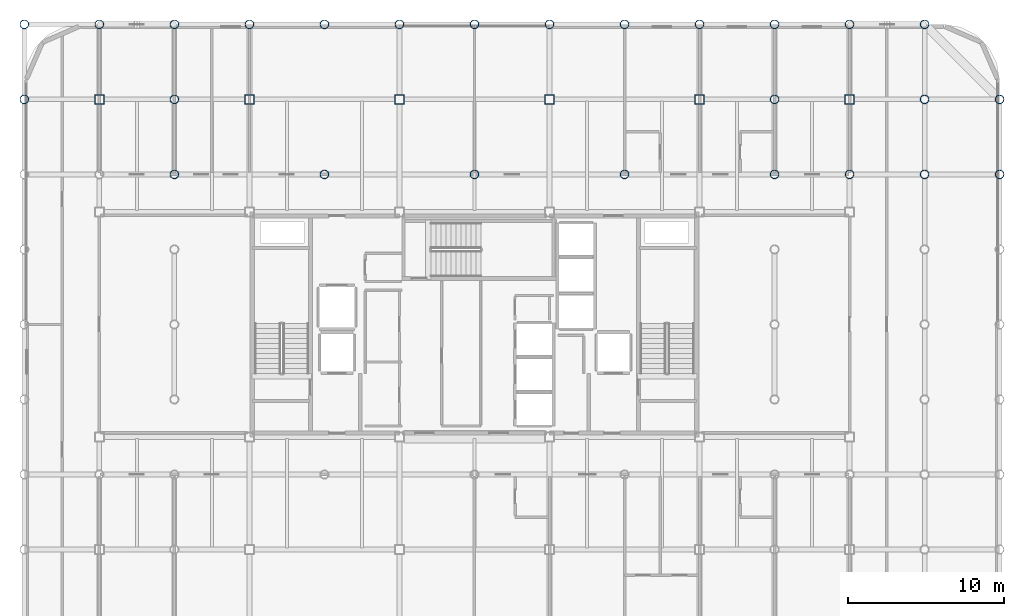
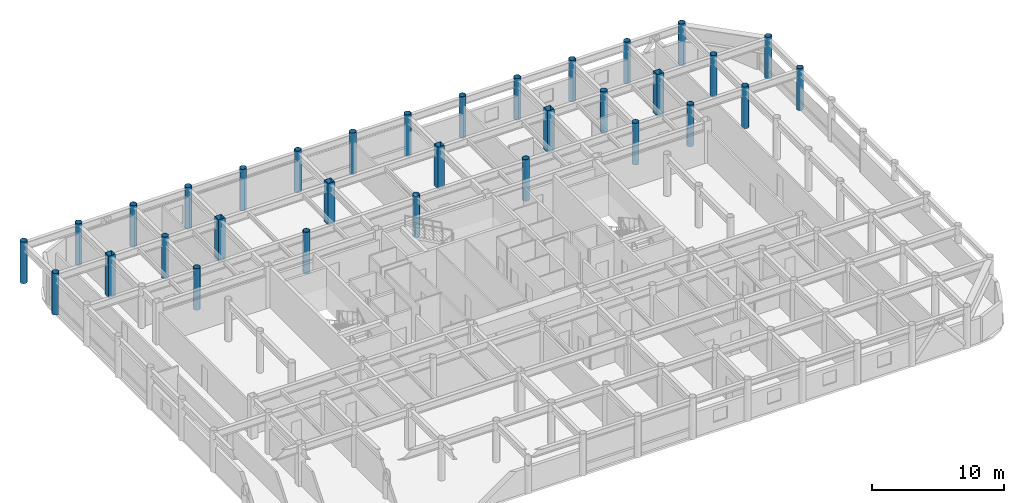
# One storey, part 2 of 21: 32 columns.
"""IFC4 building model written with IfcOpenShell, lengths in metres."""

from ifc_helpers import new_model, si_unit, direction, frame, origin, origin_2d, place, context, subcontext, project, spatial, hollow_rectangle, hollow_circle, extrude, material, material_profile, profile_set, type_object, element, save


model = new_model("IFC4")

# Units and contexts
model_context = context("Model", 3, precision=1e-05, world=origin(), true_north=direction((0.0, 1.0)))
body_context = subcontext(model_context, "Body", "Model", "MODEL_VIEW")
ifc_project = project(units=[si_unit("LENGTHUNIT", "METRE"), si_unit("AREAUNIT", "SQUARE_METRE"), si_unit("VOLUMEUNIT", "CUBIC_METRE"), si_unit("PLANEANGLEUNIT", "RADIAN"), si_unit("MASSUNIT", "GRAM", prefix="KILO")], contexts=[model_context])

# Site, building, storey
site_placement = place(None, origin())
site = spatial("IfcSite", under=ifc_project, at=site_placement, CompositionType="ELEMENT")
building_placement = place(site_placement, origin())
building = spatial("IfcBuilding", under=site, at=building_placement, Name="Kallvorn Hotel Tower", CompositionType="ELEMENT")
storey_placement = place(building_placement, frame((0.0, 0.0, 210.75)))
storey = spatial("IfcBuildingStorey", under=building, at=storey_placement, Name="L52", CompositionType="ELEMENT", Elevation=210.75)

# Columns
ifc_material_1 = material(Name="Structural steel S355J2H", Category="steel")
ifc_material_profile_1 = material_profile(ifc_material_1, hollow_circle(Radius=0.279541015625, WallThickness=0.02490234375, at=origin_2d()), Name="CHS 559x25")
ifc_profile_set_1 = profile_set([ifc_material_profile_1], Name="Structural steel S355J2H")
column_type_1 = type_object("IfcColumnType", Name="COL_CHS_559", PredefinedType="COLUMN", material=ifc_profile_set_1)
for number, where, z_axis, x_axis, name in (
    (1, (-28.800048828125, 14.39990234375, 0.0), (0.0, 0.0, 1.0), (1.0, 0.0, 0.0), "L52 Exoskeleton Column EC08"),
    (2, (-28.800048828125, 19.199951171875, 0.0), (0.0, 0.0, 1.0), (1.0, 0.0, 0.0), "L52 Exoskeleton Column EC09"),
    (3, (-24.0, 19.199951171875, 0.0), (0.0, 0.0, 1.0), (1.0, 0.0, 0.0), "L52 Exoskeleton Column EC14"),
    (4, (-19.199951171875, 9.60009765625, 0.0), (0.0, 0.0, 1.0), (1.0, 0.0, 0.0), "L52 Exoskeleton Column EC22"),
    (5, (-19.199951171875, 14.39990234375, 0.0), (0.0, 0.0, 1.0), (1.0, 0.0, 0.0), "L52 Exoskeleton Column EC23"),
    (6, (-19.199951171875, 19.199951171875, 0.0), (0.0, 0.0, 1.0), (1.0, 0.0, 0.0), "L52 Exoskeleton Column EC24"),
    (7, (-14.39990234375, 19.199951171875, 0.0), (0.0, 0.0, 1.0), (1.0, 0.0, 0.0), "L52 Exoskeleton Column EC27"),
    (8, (-9.60009765625, 9.60009765625, 0.0), (0.0, 0.0, 1.0), (1.0, 0.0, 0.0), "L52 Exoskeleton Column EC31"),
    (9, (-9.60009765625, 19.199951171875, 0.0), (0.0, 0.0, 1.0), (1.0, 0.0, 0.0), "L52 Exoskeleton Column EC32"),
    (10, (-4.800048828125, 19.199951171875, 0.0), (0.0, 0.0, 1.0), (1.0, 0.0, 0.0), "L52 Exoskeleton Column EC35"),
    (11, (0.0, 9.60009765625, 0.0), (0.0, 0.0, 1.0), (1.0, 0.0, 0.0), "L52 Exoskeleton Column EC39"),
    (12, (0.0, 19.199951171875, 0.0), (0.0, 0.0, 1.0), (1.0, 0.0, 0.0), "L52 Exoskeleton Column EC40"),
    (13, (4.800048828125, 19.199951171875, 0.0), (0.0, 0.0, 1.0), (1.0, 0.0, 0.0), "L52 Exoskeleton Column EC43"),
    (14, (9.60009765625, 9.60009765625, 0.0), (0.0, 0.0, 1.0), (1.0, 0.0, 0.0), "L52 Exoskeleton Column EC47"),
    (15, (9.60009765625, 19.199951171875, 0.0), (0.0, 0.0, 1.0), (1.0, 0.0, 0.0), "L52 Exoskeleton Column EC48"),
    (16, (14.39990234375, 19.199951171875, 0.0), (0.0, 0.0, 1.0), (1.0, 0.0, 0.0), "L52 Exoskeleton Column EC51"),
    (17, (19.199951171875, 9.60009765625, 0.0), (0.0, 0.0, 1.0), (1.0, 0.0, 0.0), "L52 Exoskeleton Column EC59"),
    (18, (19.199951171875, 14.39990234375, 0.0), (0.0, 0.0, 1.0), (1.0, 0.0, 0.0), "L52 Exoskeleton Column EC60"),
    (19, (19.199951171875, 19.199951171875, 0.0), (0.0, 0.0, 1.0), (1.0, 0.0, 0.0), "L52 Exoskeleton Column EC61"),
    (20, (24.0, 9.60009765625, 0.0), (0.0, 0.0, 1.0), (1.0, 0.0, 0.0), "L52 Exoskeleton Column EC65"),
    (21, (24.0, 19.199951171875, 0.0), (0.0, 0.0, 1.0), (1.0, 0.0, 0.0), "L52 Exoskeleton Column EC66"),
    (22, (28.800048828125, 9.60009765625, 0.0), (0.0, 0.0, 1.0), (1.0, 0.0, 0.0), "L52 Exoskeleton Column EC74"),
    (23, (28.800048828125, 14.39990234375, 0.0), (0.0, 0.0, 1.0), (1.0, 0.0, 0.0), "L52 Exoskeleton Column EC75"),
    (24, (28.800048828125, 19.199951171875, 0.0), (0.0, 0.0, 1.0), (1.0, 0.0, 0.0), "L52 Exoskeleton Column EC76"),
    (25, (33.60009765625, 9.60009765625, 0.0), (0.0, 0.0, 1.0), (1.0, 0.0, 0.0), "L52 Exoskeleton Column EC83"),
    (26, (33.60009765625, 14.39990234375, 0.0), (0.0, 0.0, 1.0), (1.0, 0.0, 0.0), "L52 Exoskeleton Column EC84"),
):
    element("IfcColumn", number, at=place(storey_placement, frame(where, z_axis=z_axis, x_axis=x_axis)), inside=storey, type_object=column_type_1, Name=name, PredefinedType="COLUMN", context=body_context, shape_type="SweptSolid", body=[
        extrude(hollow_circle(Radius=0.279541015625, WallThickness=0.02490234375, at=origin_2d()), origin(), (0.0, 0.0, 1.0), 3.85009765625),
    ])
ifc_material_2 = material(Name="Structural steel S355J2H", Category="steel")
ifc_material_profile_2 = material_profile(ifc_material_2, hollow_rectangle(XDim=0.60009765625, YDim=0.60009765625, WallThickness=0.028076171875, at=origin_2d()), Name="RHS 600x600x28")
ifc_profile_set_2 = profile_set([ifc_material_profile_2], Name="Structural steel S355J2H")
column_type_2 = type_object("IfcColumnType", Name="COL_RHS_600", PredefinedType="COLUMN", material=ifc_profile_set_2)
for number, where, z_axis, x_axis, name in (
    (27, (-24.0, 14.39990234375, 0.0), (0.0, 0.0, 1.0), (1.0, 0.0, 0.0), "L52 Inner Column IC04"),
    (28, (-14.39990234375, 14.39990234375, 0.0), (0.0, 0.0, 1.0), (1.0, 0.0, 0.0), "L52 Inner Column IC08"),
    (29, (-4.800048828125, 14.39990234375, 0.0), (0.0, 0.0, 1.0), (1.0, 0.0, 0.0), "L52 Inner Column IC12"),
    (30, (4.800048828125, 14.39990234375, 0.0), (0.0, 0.0, 1.0), (1.0, 0.0, 0.0), "L52 Inner Column IC16"),
    (31, (14.39990234375, 14.39990234375, 0.0), (0.0, 0.0, 1.0), (1.0, 0.0, 0.0), "L52 Inner Column IC20"),
    (32, (24.0, 14.39990234375, 0.0), (0.0, 0.0, 1.0), (1.0, 0.0, 0.0), "L52 Inner Column IC24"),
):
    element("IfcColumn", number, at=place(storey_placement, frame(where, z_axis=z_axis, x_axis=x_axis)), inside=storey, type_object=column_type_2, Name=name, PredefinedType="COLUMN", context=body_context, shape_type="SweptSolid", body=[
        extrude(hollow_rectangle(XDim=0.60009765625, YDim=0.60009765625, WallThickness=0.028076171875, at=origin_2d()), origin(), (0.0, 0.0, 1.0), 3.85009765625),
    ])

save(model, "model.ifc")
